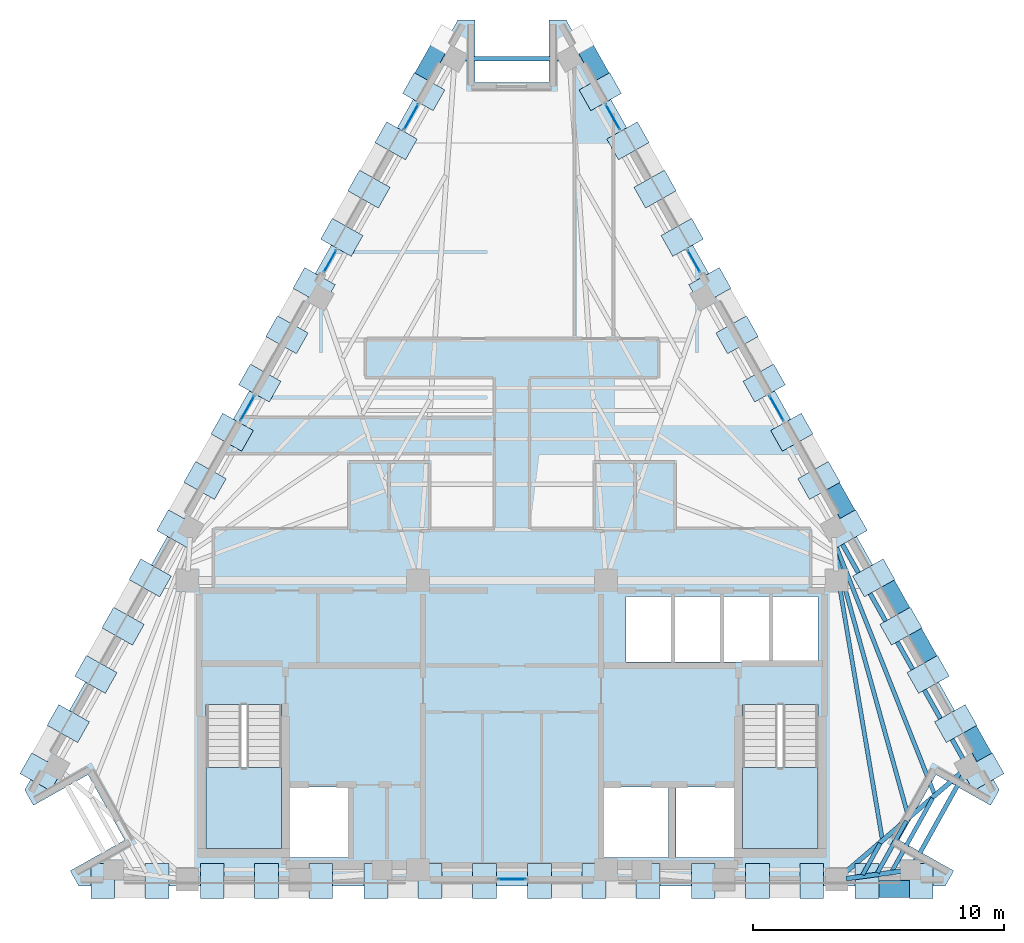
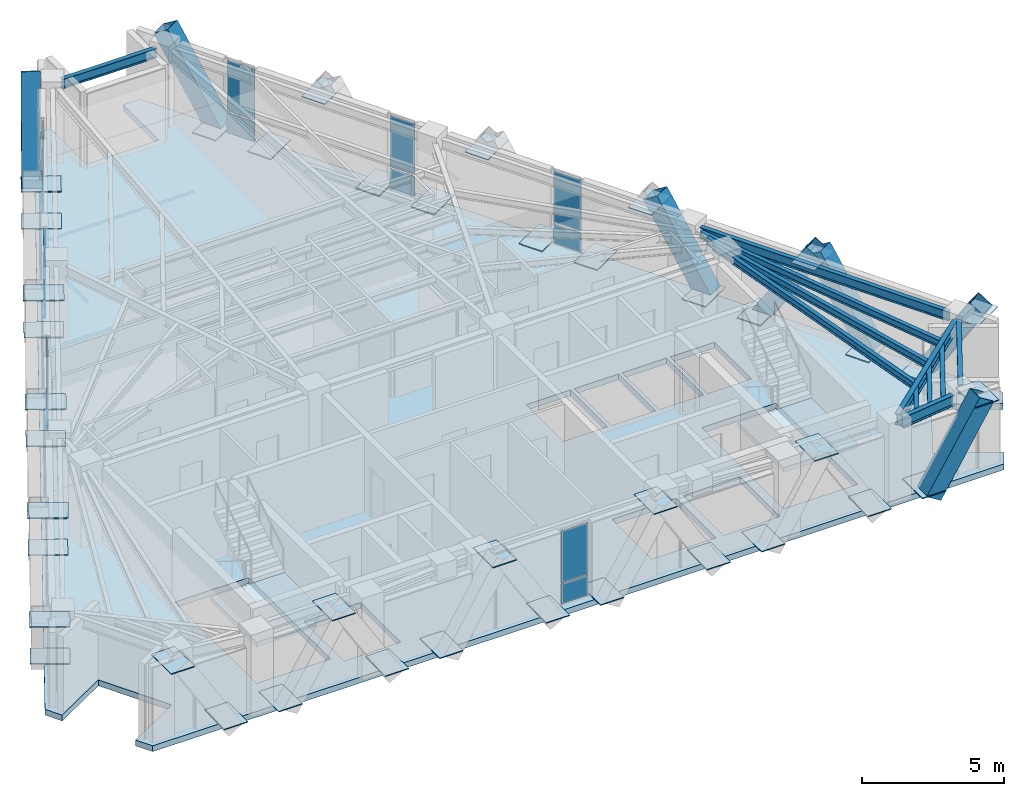
# One storey, part 4 of 9: 60 plates, 11 beams, 7 members, 3 slabs, 9 elements without a shape of their own.
"""IFC4 building model written with IfcOpenShell, lengths in metres."""

from ifc_helpers import new_model, si_unit, direction, frame, origin, origin_2d, place, context, subcontext, project, spatial, polyline, rectangle, hollow_rectangle, i_section, outline, extrude, material, layer, layer_set, material_profile, profile_set, type_object, element, aggregate, save


model = new_model("IFC4")

# Units and contexts
model_context = context("Model", 3, precision=1e-05, world=origin(), true_north=direction((0.0, 1.0)))
body_context = subcontext(model_context, "Body", "Model", "MODEL_VIEW")
ifc_project = project(units=[si_unit("LENGTHUNIT", "METRE"), si_unit("AREAUNIT", "SQUARE_METRE"), si_unit("VOLUMEUNIT", "CUBIC_METRE"), si_unit("PLANEANGLEUNIT", "RADIAN"), si_unit("MASSUNIT", "GRAM", prefix="KILO")], contexts=[model_context])

# Site, building, storey
site_placement = place(None, origin())
site = spatial("IfcSite", under=ifc_project, at=site_placement, CompositionType="ELEMENT")
building_placement = place(site_placement, origin())
building = spatial("IfcBuilding", under=site, at=building_placement, Name="Quenlor Broadcast Tower", CompositionType="ELEMENT")
storey_placement = place(building_placement, frame((0.0, 0.0, 256.89990234375)))
storey = spatial("IfcBuildingStorey", under=building, at=storey_placement, Name="L71", CompositionType="ELEMENT", Elevation=256.89990234375)

# Members
ifc_material_1 = material(Name="Steel S355", Category="steel")
ifc_material_profile_1 = material_profile(ifc_material_1, hollow_rectangle(XDim=0.679931640625, YDim=0.679931640625, WallThickness=0.02001953125, at=origin_2d()))
ifc_profile_set_1 = profile_set([ifc_material_profile_1], Name="Steel S355 RHS680x680x20")
member_type = type_object("IfcMemberType", Name="Perimeter Diagonal Lattice Brace Z5-Crown Steel S355 RHS680x20", PredefinedType="BRACE", material=ifc_profile_set_1)
member_placement = place(storey_placement, frame((14.165771484375, -17.1201171875, -0.119873046875), z_axis=(0.523616565236, 0.0, 0.85195404372), x_axis=(0.0, 1.0, 0.0)))
element("IfcMember", 1, at=member_placement, inside=storey, type_object=member_type, Name="L71 Perimeter Diamond Lattice S-C1B", PredefinedType="BRACE", context=body_context, shape_type="SweptSolid", body=[
    extrude(hollow_rectangle(XDim=0.679931640625, YDim=0.679931640625, WallThickness=0.02001953125, at=origin_2d()), origin(), (0.0, 0.0, 1.0), 4.108154296875),
])
for number, where, z_axis, x_axis, name in (
    (2, (3.813720703125, 14.864990234375, -0.119873046875), (-0.260618804175, 0.463276364439, 0.847025884529), (-0.8715547569, -0.490298180422, 0.0), "L71 Perimeter Diamond Lattice NE-C1B"),
    (3, (14.725830078125, -4.534423828125, -0.119873046875), (0.260563732169, -0.463283497491, 0.847038926161), (0.871602253711, 0.49021374045, 0.0), "L71 Perimeter Diamond Lattice NE-C4S"),
    (4, (13.622802734375, -2.573486328125, -0.119873046875), (-0.260618804175, 0.463276364439, 0.847025884529), (-0.8715547569, -0.490298180422, 0.0), "L71 Perimeter Diamond Lattice NE-C4B"),
    (5, (17.99560546875, -10.34716796875, -0.119873046875), (0.260563732169, -0.463283497491, 0.847038926161), (0.871602253711, 0.49021374045, 0.0), "L71 Perimeter Diamond Lattice NE-C5S"),
    (6, (16.892578125, -8.38623046875, -0.119873046875), (-0.260618804175, 0.463276364439, 0.847025884529), (-0.8715547569, -0.490298180422, 0.0), "L71 Perimeter Diamond Lattice NE-C5B"),
    (7, (-3.813720703125, 14.864990234375, -0.119873046875), (0.260618804175, 0.463276364439, 0.847025884529), (-0.8715547569, 0.490298180422, 0.0), "L71 Perimeter Diamond Lattice NW-C5S"),
):
    element("IfcMember", number, at=place(storey_placement, frame(where, z_axis=z_axis, x_axis=x_axis)), inside=storey, type_object=member_type, Name=name, PredefinedType="BRACE", context=body_context, shape_type="SweptSolid", body=[
        extrude(hollow_rectangle(XDim=0.679931640625, YDim=0.679931640625, WallThickness=0.02001953125, at=origin_2d()), origin(), (0.0, 0.0, 1.0), 4.132080078125),
    ])

# Beams
ifc_material_2 = material(Name="Steel S355", Category="steel")
ifc_material_profile_2 = material_profile(ifc_material_2, i_section(OverallWidth=0.177978515625, OverallDepth=0.406494140625, WebThickness=0.0078125, FlangeThickness=0.0126953125, FilletRadius=0.011474609375, at=origin_2d()))
ifc_profile_set_2 = profile_set([ifc_material_profile_2], Name="Steel S355 410UB59.7")
beam_type_1 = type_object("IfcBeamType", Name="Perimeter Spandrel Beam Z5 Steel S355 410UB59.7", PredefinedType="SPANDREL", material=ifc_profile_set_2)
beam_1_placement = place(storey_placement, frame((16.07275390625, -16.035400390625, 3.046875), z_axis=(0.486800618374, 0.873513112638, 0.0), x_axis=(-0.873513112638, 0.486800618374, 0.0)))
element("IfcBeam", 8, at=beam_1_placement, inside=storey, type_object=beam_type_1, Name="L71 Spandrel Beam S4-NE1", PredefinedType="SPANDREL", context=body_context, shape_type="SweptSolid", body=[
    extrude(i_section(OverallWidth=0.177978515625, OverallDepth=0.406494140625, WebThickness=0.0078125, FlangeThickness=0.0126953125, FilletRadius=0.011474609375, at=origin_2d()), origin(), (0.0, 0.0, 1.0), 3.9736328125),
])
beam_2_placement = place(storey_placement, frame((18.005859375, -11.93603515625, 3.046875), z_axis=(-0.490274867878, 0.871567871096, 0.0), x_axis=(-0.871567871096, -0.490274867878, 0.0)))
element("IfcBeam", 9, at=beam_2_placement, inside=storey, type_object=beam_type_1, Name="L71 Spandrel Beam NE1-NE2", PredefinedType="SPANDREL", context=body_context, shape_type="SweptSolid", body=[
    extrude(i_section(OverallWidth=0.177978515625, OverallDepth=0.406494140625, WebThickness=0.0078125, FlangeThickness=0.0126953125, FilletRadius=0.011474609375, at=origin_2d()), origin(), (0.0, 0.0, 1.0), 10.206298828125),
])
beam_3_placement = place(storey_placement, frame((1.9248046875, 16.012451171875, 3.046875), z_axis=(-1.0, 0.0, 0.0), x_axis=(0.0, -1.0, 0.0)))
element("IfcBeam", 10, at=beam_3_placement, inside=storey, type_object=beam_type_1, Name="L71 Spandrel Beam NE4-NW1", PredefinedType="SPANDREL", context=body_context, shape_type="SweptSolid", body=[
    extrude(i_section(OverallWidth=0.177978515625, OverallDepth=0.406494140625, WebThickness=0.0078125, FlangeThickness=0.0126953125, FilletRadius=0.011474609375, at=origin_2d()), origin(), (0.0, 0.0, 1.0), 3.849609375),
])
ifc_material_3 = material(Name="Steel S355", Category="steel")
ifc_material_profile_3 = material_profile(ifc_material_3, i_section(OverallWidth=0.166015625, OverallDepth=0.30712890625, WebThickness=0.006591796875, FlangeThickness=0.01171875, FilletRadius=0.011474609375, at=origin_2d()))
ifc_profile_set_3 = profile_set([ifc_material_profile_3], Name="Steel S355 310UB46.2")
beam_type_2 = type_object("IfcBeamType", Name="Tower Composite Joist Z4-Z5 Steel S355 310UB46.2", PredefinedType="JOIST", material=ifc_profile_set_3)
beam_4_placement = place(storey_placement, frame((14.76806640625, -15.09619140625, 3.096435546875), z_axis=(-0.166553293246, 0.986032454085, 0.0), x_axis=(-0.986032454085, -0.166553293246, 0.0)))
element("IfcBeam", 11, at=beam_4_placement, inside=storey, type_object=beam_type_2, Name="L71 Secondary Composite Joist 16", PredefinedType="JOIST", context=body_context, shape_type="SweptSolid", body=[
    extrude(i_section(OverallWidth=0.166015625, OverallDepth=0.30712890625, WebThickness=0.006591796875, FlangeThickness=0.01171875, FilletRadius=0.011474609375, at=origin_2d()), origin(), (0.0, 0.0, 1.0), 11.097900390625),
])
beam_5_placement = place(storey_placement, frame((15.806396484375, -14.197998046875, 3.096435546875), z_axis=(-0.26744552871, 0.96357298072, 0.0), x_axis=(-0.96357298072, -0.26744552871, 0.0)))
element("IfcBeam", 12, at=beam_5_placement, inside=storey, type_object=beam_type_2, Name="L71 Secondary Composite Joist 17", PredefinedType="JOIST", context=body_context, shape_type="SweptSolid", body=[
    extrude(i_section(OverallWidth=0.166015625, OverallDepth=0.30712890625, WebThickness=0.006591796875, FlangeThickness=0.01171875, FilletRadius=0.011474609375, at=origin_2d()), origin(), (0.0, 0.0, 1.0), 10.856689453125),
])
beam_6_placement = place(storey_placement, frame((16.8447265625, -13.300537109375, 3.096435546875), z_axis=(-0.368680258049, 0.929556274426, 0.0), x_axis=(-0.929556274426, -0.368680258049, 0.0)))
element("IfcBeam", 13, at=beam_6_placement, inside=storey, type_object=beam_type_2, Name="L71 Secondary Composite Joist 18", PredefinedType="JOIST", context=body_context, shape_type="SweptSolid", body=[
    extrude(i_section(OverallWidth=0.166015625, OverallDepth=0.30712890625, WebThickness=0.006591796875, FlangeThickness=0.01171875, FilletRadius=0.011474609375, at=origin_2d()), origin(), (0.0, 0.0, 1.0), 10.737548828125),
])
beam_7_placement = place(storey_placement, frame((13.9912109375, -16.544189453125, 3.096435546875), z_axis=(0.486624304452, 0.873611347406, 0.0), x_axis=(-0.873611347406, 0.486624304452, 0.0)))
element("IfcBeam", 14, at=beam_7_placement, inside=storey, type_object=beam_type_2, Name="L71 Secondary Composite Joist 22", PredefinedType="JOIST", context=body_context, shape_type="SweptSolid", body=[
    extrude(i_section(OverallWidth=0.166015625, OverallDepth=0.30712890625, WebThickness=0.006591796875, FlangeThickness=0.01171875, FilletRadius=0.011474609375, at=origin_2d()), origin(), (0.0, 0.0, 1.0), 1.435791015625),
])
beam_8_placement = place(storey_placement, frame((14.58056640625, -16.464111328125, 3.096435546875), z_axis=(0.486820963037, 0.873501774439, 0.0), x_axis=(-0.873501774439, 0.486820963037, 0.0)))
element("IfcBeam", 15, at=beam_8_placement, inside=storey, type_object=beam_type_2, Name="L71 Secondary Composite Joist 23", PredefinedType="JOIST", context=body_context, shape_type="SweptSolid", body=[
    extrude(i_section(OverallWidth=0.166015625, OverallDepth=0.30712890625, WebThickness=0.006591796875, FlangeThickness=0.01171875, FilletRadius=0.011474609375, at=origin_2d()), origin(), (0.0, 0.0, 1.0), 2.37451171875),
])
beam_9_placement = place(storey_placement, frame((15.170166015625, -16.384033203125, 3.096435546875), z_axis=(0.486762404011, 0.873534408046, 0.0), x_axis=(-0.873534408046, 0.486762404011, 0.0)))
element("IfcBeam", 16, at=beam_9_placement, inside=storey, type_object=beam_type_2, Name="L71 Secondary Composite Joist 24", PredefinedType="JOIST", context=body_context, shape_type="SweptSolid", body=[
    extrude(i_section(OverallWidth=0.166015625, OverallDepth=0.30712890625, WebThickness=0.006591796875, FlangeThickness=0.01171875, FilletRadius=0.011474609375, at=origin_2d()), origin(), (0.0, 0.0, 1.0), 3.313232421875),
])
ifc_material_4 = material(Name="Steel S355", Category="steel")
ifc_material_profile_4 = material_profile(ifc_material_4, i_section(OverallWidth=0.19091796875, OverallDepth=0.46044921875, WebThickness=0.010009765625, FlangeThickness=0.01611328125, FilletRadius=0.011474609375, at=origin_2d()))
ifc_profile_set_4 = profile_set([ifc_material_profile_4], Name="Steel S355 460UB82.1")
beam_type_3 = type_object("IfcBeamType", Name="Tower Primary Floor Beam Z5 Steel S355 460UB82.1", PredefinedType="BEAM", material=ifc_profile_set_4)
beam_10_placement = place(storey_placement, frame((15.541015625, -16.3984375, 3.02001953125), z_axis=(-0.990917044125, -0.134474576267, 0.0), x_axis=(0.134474576267, -0.990917044125, 0.0)))
element("IfcBeam", 17, at=beam_10_placement, inside=storey, type_object=beam_type_3, Name="L71 Primary Radial Beam S4", PredefinedType="BEAM", context=body_context, shape_type="SweptSolid", body=[
    extrude(i_section(OverallWidth=0.19091796875, OverallDepth=0.46044921875, WebThickness=0.010009765625, FlangeThickness=0.01611328125, FilletRadius=0.011474609375, at=origin_2d()), origin(), (0.0, 0.0, 1.0), 2.23486328125),
])
beam_11_placement = place(storey_placement, frame((17.909423828125, -12.484619140625, 3.02001953125), z_axis=(-0.75817030855, -0.652056579779, 0.0), x_axis=(0.652056579779, -0.75817030855, 0.0)))
element("IfcBeam", 18, at=beam_11_placement, inside=storey, type_object=beam_type_3, Name="L71 Primary Radial Beam NE1", PredefinedType="BEAM", context=body_context, shape_type="SweptSolid", body=[
    extrude(i_section(OverallWidth=0.19091796875, OverallDepth=0.46044921875, WebThickness=0.010009765625, FlangeThickness=0.01611328125, FilletRadius=0.011474609375, at=origin_2d()), origin(), (0.0, 0.0, 1.0), 6.161376953125),
])

# Curtain wall, plates
ifc_material_5 = material(Name="Architectural Terracotta and Low-E Glazing", Category="masonry")
curtain_wall_type = type_object("IfcCurtainWallType", Name="Unitised Terracotta Curtain Wall System Z5", PredefinedType="NOTDEFINED", material=ifc_material_5)
curtain_wall_1_placement = place(storey_placement, origin())
curtain_wall_1 = element("IfcCurtainWall", 19, at=curtain_wall_1_placement, inside=storey, type_object=curtain_wall_type, Name="L71 Curtain Wall CW5 (L71-S-G1)", PredefinedType="NOTDEFINED")
ifc_material_6 = material(Name="Double Glazed Low-E Solar Glass", Category="glass")
ifc_layer_1 = layer(ifc_material_6, 0.02587890625)
ifc_layer_set_1 = layer_set([ifc_layer_1], Name="CW5 Double Glazed Vision Panel 26")
plate_type_1 = type_object("IfcPlateType", Name="CW5 Double Glazed Vision Panel 26", PredefinedType="CURTAIN_PANEL", material=ifc_layer_set_1)
plate_1_placement = place(storey_placement, frame((0.0, -16.72509765625, 0.065185546875), z_axis=(0.0, 0.0, 1.0), x_axis=(-1.0, 0.0, 0.0)))
plate_1 = element("IfcPlate", 20, at=plate_1_placement, type_object=plate_type_1, Name="CW5 panel 1.1", PredefinedType="CURTAIN_PANEL", context=body_context, shape_type="SweptSolid", body=[
    extrude(rectangle(XDim=1.081298828125, YDim=0.02587890625, at=origin_2d()), origin(), (0.0, 0.0, 1.0), 0.8525390625),
])
plate_2_placement = place(storey_placement, frame((0.0, -16.72509765625, 0.982421875), z_axis=(0.0, 0.0, 1.0), x_axis=(-1.0, 0.0, 0.0)))
plate_2 = element("IfcPlate", 21, at=plate_2_placement, type_object=plate_type_1, Name="CW5 panel 1.2", PredefinedType="CURTAIN_PANEL", context=body_context, shape_type="SweptSolid", body=[
    extrude(rectangle(XDim=1.081298828125, YDim=0.02587890625, at=origin_2d()), origin(), (0.0, 0.0, 1.0), 2.202392578125),
])
aggregate(curtain_wall_1, [plate_1, plate_2])

curtain_wall_2_placement = place(storey_placement, origin())
curtain_wall_2 = element("IfcCurtainWall", 22, at=curtain_wall_2_placement, inside=storey, type_object=curtain_wall_type, Name="L71 Curtain Wall CW5 (L71-NEA-G1)", PredefinedType="NOTDEFINED")
plate_3_placement = place(storey_placement, frame((4.02099609375, 13.69091796875, 0.065185546875), z_axis=(0.0, 0.0, 1.0), x_axis=(0.49029137745, -0.871558583916, 0.0)))
plate_3 = element("IfcPlate", 23, at=plate_3_placement, type_object=plate_type_1, Name="CW5 panel 1.1", PredefinedType="CURTAIN_PANEL", context=body_context, shape_type="SweptSolid", body=[
    extrude(rectangle(XDim=1.13037109375, YDim=0.02587890625, at=origin_2d()), origin(), (0.0, 0.0, 1.0), 0.8525390625),
])
plate_4_placement = place(storey_placement, frame((4.02099609375, 13.69091796875, 0.982421875), z_axis=(0.0, 0.0, 1.0), x_axis=(0.49029137745, -0.871558583916, 0.0)))
plate_4 = element("IfcPlate", 24, at=plate_4_placement, type_object=plate_type_1, Name="CW5 panel 1.2", PredefinedType="CURTAIN_PANEL", context=body_context, shape_type="SweptSolid", body=[
    extrude(rectangle(XDim=1.13037109375, YDim=0.02587890625, at=origin_2d()), origin(), (0.0, 0.0, 1.0), 2.202392578125),
])
aggregate(curtain_wall_2, [plate_3, plate_4])

curtain_wall_3_placement = place(storey_placement, origin())
curtain_wall_3 = element("IfcCurtainWall", 25, at=curtain_wall_3_placement, inside=storey, type_object=curtain_wall_type, Name="L71 Curtain Wall CW5 (L71-NEA-G2)", PredefinedType="NOTDEFINED")
plate_5_placement = place(storey_placement, frame((7.258056640625, 7.935791015625, 0.065185546875), z_axis=(0.0, 0.0, 1.0), x_axis=(0.490282293669, -0.871563693894, 0.0)))
plate_5 = element("IfcPlate", 26, at=plate_5_placement, type_object=plate_type_1, Name="CW5 panel 1.1", PredefinedType="CURTAIN_PANEL", context=body_context, shape_type="SweptSolid", body=[
    extrude(rectangle(XDim=0.99755859375, YDim=0.02587890625, at=origin_2d()), origin(), (0.0, 0.0, 1.0), 0.8525390625),
])
plate_6_placement = place(storey_placement, frame((7.258056640625, 7.935791015625, 0.982421875), z_axis=(0.0, 0.0, 1.0), x_axis=(0.490282293669, -0.871563693894, 0.0)))
plate_6 = element("IfcPlate", 27, at=plate_6_placement, type_object=plate_type_1, Name="CW5 panel 1.2", PredefinedType="CURTAIN_PANEL", context=body_context, shape_type="SweptSolid", body=[
    extrude(rectangle(XDim=0.99755859375, YDim=0.02587890625, at=origin_2d()), origin(), (0.0, 0.0, 1.0), 2.202392578125),
])
aggregate(curtain_wall_3, [plate_5, plate_6])

curtain_wall_4_placement = place(storey_placement, origin())
curtain_wall_4 = element("IfcCurtainWall", 28, at=curtain_wall_4_placement, inside=storey, type_object=curtain_wall_type, Name="L71 Curtain Wall CW5 (L71-NE-G1)", PredefinedType="NOTDEFINED")
plate_7_placement = place(storey_placement, frame((10.560302734375, 2.065185546875, 0.065185546875), z_axis=(0.0, 0.0, 1.0), x_axis=(0.490231100048, -0.871592489955, 0.0)))
plate_7 = element("IfcPlate", 29, at=plate_7_placement, type_object=plate_type_1, Name="CW5 panel 1.1", PredefinedType="CURTAIN_PANEL", context=body_context, shape_type="SweptSolid", body=[
    extrude(rectangle(XDim=1.130126953125, YDim=0.02587890625, at=origin_2d()), origin(), (0.0, 0.0, 1.0), 0.8525390625),
])
plate_8_placement = place(storey_placement, frame((10.560302734375, 2.065185546875, 0.982421875), z_axis=(0.0, 0.0, 1.0), x_axis=(0.490231100048, -0.871592489955, 0.0)))
plate_8 = element("IfcPlate", 30, at=plate_8_placement, type_object=plate_type_1, Name="CW5 panel 1.2", PredefinedType="CURTAIN_PANEL", context=body_context, shape_type="SweptSolid", body=[
    extrude(rectangle(XDim=1.130126953125, YDim=0.02587890625, at=origin_2d()), origin(), (0.0, 0.0, 1.0), 2.202392578125),
])
aggregate(curtain_wall_4, [plate_7, plate_8])

curtain_wall_5_placement = place(storey_placement, origin())
curtain_wall_5 = element("IfcCurtainWall", 31, at=curtain_wall_5_placement, inside=storey, type_object=curtain_wall_type, Name="L71 Curtain Wall CW5 (L71-NWC-G1)", PredefinedType="NOTDEFINED")
plate_9_placement = place(storey_placement, frame((-7.258056640625, 7.935791015625, 0.065185546875), z_axis=(0.0, 0.0, 1.0), x_axis=(0.490282293669, 0.871563693894, 0.0)))
plate_9 = element("IfcPlate", 32, at=plate_9_placement, type_object=plate_type_1, Name="CW5 panel 1.1", PredefinedType="CURTAIN_PANEL", context=body_context, shape_type="SweptSolid", body=[
    extrude(rectangle(XDim=0.99755859375, YDim=0.02587890625, at=origin_2d()), origin(), (0.0, 0.0, 1.0), 0.8525390625),
])
plate_10_placement = place(storey_placement, frame((-7.258056640625, 7.935791015625, 0.982421875), z_axis=(0.0, 0.0, 1.0), x_axis=(0.490282293669, 0.871563693894, 0.0)))
plate_10 = element("IfcPlate", 33, at=plate_10_placement, type_object=plate_type_1, Name="CW5 panel 1.2", PredefinedType="CURTAIN_PANEL", context=body_context, shape_type="SweptSolid", body=[
    extrude(rectangle(XDim=0.99755859375, YDim=0.02587890625, at=origin_2d()), origin(), (0.0, 0.0, 1.0), 2.202392578125),
])
aggregate(curtain_wall_5, [plate_9, plate_10])

curtain_wall_6_placement = place(storey_placement, origin())
curtain_wall_6 = element("IfcCurtainWall", 34, at=curtain_wall_6_placement, inside=storey, type_object=curtain_wall_type, Name="L71 Curtain Wall CW5 (L71-NWC-G2)", PredefinedType="NOTDEFINED")
plate_11_placement = place(storey_placement, frame((-4.02099609375, 13.69091796875, 0.065185546875), z_axis=(0.0, 0.0, 1.0), x_axis=(0.49029137745, 0.871558583916, 0.0)))
plate_11 = element("IfcPlate", 35, at=plate_11_placement, type_object=plate_type_1, Name="CW5 panel 1.1", PredefinedType="CURTAIN_PANEL", context=body_context, shape_type="SweptSolid", body=[
    extrude(rectangle(XDim=1.13037109375, YDim=0.02587890625, at=origin_2d()), origin(), (0.0, 0.0, 1.0), 0.8525390625),
])
plate_12_placement = place(storey_placement, frame((-4.02099609375, 13.69091796875, 0.982421875), z_axis=(0.0, 0.0, 1.0), x_axis=(0.49029137745, 0.871558583916, 0.0)))
plate_12 = element("IfcPlate", 36, at=plate_12_placement, type_object=plate_type_1, Name="CW5 panel 1.2", PredefinedType="CURTAIN_PANEL", context=body_context, shape_type="SweptSolid", body=[
    extrude(rectangle(XDim=1.13037109375, YDim=0.02587890625, at=origin_2d()), origin(), (0.0, 0.0, 1.0), 2.202392578125),
])
aggregate(curtain_wall_6, [plate_11, plate_12])

curtain_wall_7_placement = place(storey_placement, origin())
curtain_wall_7 = element("IfcCurtainWall", 37, at=curtain_wall_7_placement, inside=storey, type_object=curtain_wall_type, Name="L71 Curtain Wall CW5 (L71-NW-G1)", PredefinedType="NOTDEFINED")
plate_13_placement = place(storey_placement, frame((-10.560302734375, 2.065185546875, 0.065185546875), z_axis=(0.0, 0.0, 1.0), x_axis=(0.490231100048, 0.871592489955, 0.0)))
plate_13 = element("IfcPlate", 38, at=plate_13_placement, type_object=plate_type_1, Name="CW5 panel 1.1", PredefinedType="CURTAIN_PANEL", context=body_context, shape_type="SweptSolid", body=[
    extrude(rectangle(XDim=1.130126953125, YDim=0.02587890625, at=origin_2d()), origin(), (0.0, 0.0, 1.0), 0.8525390625),
])
plate_14_placement = place(storey_placement, frame((-10.560302734375, 2.065185546875, 0.982421875), z_axis=(0.0, 0.0, 1.0), x_axis=(0.490231100048, 0.871592489955, 0.0)))
plate_14 = element("IfcPlate", 39, at=plate_14_placement, type_object=plate_type_1, Name="CW5 panel 1.2", PredefinedType="CURTAIN_PANEL", context=body_context, shape_type="SweptSolid", body=[
    extrude(rectangle(XDim=1.130126953125, YDim=0.02587890625, at=origin_2d()), origin(), (0.0, 0.0, 1.0), 2.202392578125),
])
aggregate(curtain_wall_7, [plate_13, plate_14])

# Stair, slab
ifc_material_7 = material(Name="Precast concrete C40/50", Category="concrete")
stair_type = type_object("IfcStairType", Name="Precast Concrete C40/50 Dogleg Stair H350", PredefinedType="HALF_TURN_STAIR", material=ifc_material_7)
stair_1_placement = place(storey_placement, origin())
stair_1 = element("IfcStair", 40, at=stair_1_placement, inside=storey, type_object=stair_type, Name="L71 West Core Fire-Isolated Exit Stair ST-1", PredefinedType="HALF_TURN_STAIR")
ifc_material_8 = material(Name="Precast concrete C40/50", Category="concrete")
ifc_layer_2 = layer(ifc_material_8, 0.199951171875)
ifc_layer_set_2 = layer_set([ifc_layer_2], Name="Precast Concrete C40/50 Stair Landing Slab 200")
slab_type_1 = type_object("IfcSlabType", Name="Precast Concrete C40/50 Stair Landing Slab 200", PredefinedType="LANDING", material=ifc_layer_set_2)
slab_1_placement = place(storey_placement, frame((0.0, 0.0, 1.550048828125)))
slab_1 = element("IfcSlab", 41, at=slab_1_placement, type_object=slab_type_1, Name="ST-1 landing 1", PredefinedType="LANDING", context=body_context, shape_type="SweptSolid", body=[
    extrude(outline(polyline([(-12.199951171875, -12.27001953125), (-12.199951171875, -15.5), (-9.199951171875, -15.5), (-9.199951171875, -12.27001953125), (-12.199951171875, -12.27001953125)])), origin(), (0.0, 0.0, 1.0), 0.199951171875),
])
aggregate(stair_1, [slab_1])

stair_2_placement = place(storey_placement, origin())
stair_2 = element("IfcStair", 42, at=stair_2_placement, inside=storey, type_object=stair_type, Name="L71 East Core Fire-Isolated Exit Stair ST-2", PredefinedType="HALF_TURN_STAIR")
slab_2_placement = place(storey_placement, frame((0.0, 0.0, 1.550048828125)))
slab_2 = element("IfcSlab", 43, at=slab_2_placement, type_object=slab_type_1, Name="ST-2 landing 1", PredefinedType="LANDING", context=body_context, shape_type="SweptSolid", body=[
    extrude(outline(polyline([(9.199951171875, -12.27001953125), (9.199951171875, -15.5), (12.199951171875, -15.5), (12.199951171875, -12.27001953125), (9.199951171875, -12.27001953125)])), origin(), (0.0, 0.0, 1.0), 0.199951171875),
])
aggregate(stair_2, [slab_2])

# Slab
ifc_material_9 = material(Name="Concrete C40/50", Category="concrete")
ifc_layer_3 = layer(ifc_material_9, 0.25)
ifc_layer_set_3 = layer_set([ifc_layer_3], Name="Tower Composite Concrete C40/50 Slab 250")
slab_type_2 = type_object("IfcSlabType", Name="Tower Composite Concrete C40/50 Slab 250", PredefinedType="FLOOR", material=ifc_layer_set_3)
slab_3_placement = place(storey_placement, frame((0.0, 0.0, -0.25)))
element("IfcSlab", 44, at=slab_3_placement, inside=storey, type_object=slab_type_2, Name="L71 Structural Floor Slab", PredefinedType="FLOOR", context=body_context, shape_type="SweptSolid", body=[
    extrude(outline(polyline([(17.280029296875, -17.0), (17.62548828125, -16.385498046875), (15.44677734375, -15.159912109375), (16.91552734375, -12.548583984375), (19.094482421875, -13.7744140625), (19.43994140625, -13.159912109375), (2.159912109375, 17.56005859375), (1.46875, 17.56005859375), (1.46875, 15.06005859375), (-1.46875, 15.06005859375), (-1.46875, 17.56005859375), (-2.159912109375, 17.56005859375), (-19.43994140625, -13.159912109375), (-19.094482421875, -13.7744140625), (-16.91552734375, -12.548583984375), (-15.44677734375, -15.159912109375), (-17.62548828125, -16.385498046875), (-17.280029296875, -17.0), (17.280029296875, -17.0)]), holes=[polyline([(-12.199951171875, -9.758056640625), (-12.199951171875, -15.5), (-9.199951171875, -15.5), (-9.199951171875, -9.758056640625), (-12.199951171875, -9.758056640625)]), polyline([(9.199951171875, -9.758056640625), (9.199951171875, -15.5), (12.199951171875, -15.5), (12.199951171875, -9.758056640625), (9.199951171875, -9.758056640625)]), polyline([(4.550048828125, -8.050048828125), (6.35009765625, -8.050048828125), (6.35009765625, -5.449951171875), (4.550048828125, -5.449951171875), (4.550048828125, -8.050048828125)]), polyline([(6.5, -8.050048828125), (8.300048828125, -8.050048828125), (8.300048828125, -5.449951171875), (6.5, -5.449951171875), (6.5, -8.050048828125)]), polyline([(8.449951171875, -8.050048828125), (10.25, -8.050048828125), (10.25, -5.449951171875), (8.449951171875, -5.449951171875), (8.449951171875, -8.050048828125)]), polyline([(10.39990234375, -8.050048828125), (12.199951171875, -8.050048828125), (12.199951171875, -5.449951171875), (10.39990234375, -5.449951171875), (10.39990234375, -8.050048828125)]), polyline([(-8.85009765625, -15.85009765625), (-6.550048828125, -15.85009765625), (-6.550048828125, -13.050048828125), (-8.85009765625, -13.050048828125), (-8.85009765625, -15.85009765625)]), polyline([(6.550048828125, -15.85009765625), (8.85009765625, -15.85009765625), (8.85009765625, -13.050048828125), (6.550048828125, -13.050048828125), (6.550048828125, -15.85009765625)]), polyline([(3.64990234375, -15.85009765625), (6.25, -15.85009765625), (6.25, -13.050048828125), (3.64990234375, -13.050048828125), (3.64990234375, -15.85009765625)])]), origin(), (0.0, 0.0, 1.0), 0.25),
])

# Plates
ifc_material_10 = material(Name="Steel S355", Category="steel")
ifc_layer_4 = layer(ifc_material_10, 0.035888671875)
ifc_layer_set_4 = layer_set([ifc_layer_4], Name="Transfer Truss Steel S355 Gusset Node Plate 1400x950x36")
plate_type_2 = type_object("IfcPlateType", Name="Transfer Truss Steel S355 Gusset Node Plate 1400x950x36", PredefinedType="SHEET", material=ifc_layer_set_4)
for number, where, z_axis, x_axis, name in (
    (45, (11.96240234375, -16.784912109375, 0.0419921875), (0.0, 0.0, 1.0), (0.0, -1.0, 0.0), "L71 Lattice Tie Gusset Node S-B2"),
    (46, (9.798095703125, -16.784912109375, 3.18212890625), (0.0, 0.0, 1.0), (0.0, -1.0, 0.0), "L71 Lattice Tie Gusset Node S-T3"),
    (47, (14.165771484375, -16.784912109375, 0.0419921875), (0.0, 0.0, 1.0), (0.0, -1.0, 0.0), "L71 Lattice Tie Gusset Node S-B1"),
    (48, (16.330078125, -16.784912109375, 3.18212890625), (0.0, 0.0, 1.0), (0.0, -1.0, 0.0), "L71 Lattice Tie Gusset Node S-T0"),
    (49, (5.430419921875, -16.784912109375, 0.0419921875), (0.0, 0.0, 1.0), (0.0, -1.0, 0.0), "L71 Lattice Tie Gusset Node S-B5"),
    (50, (3.26611328125, -16.784912109375, 3.18212890625), (0.0, 0.0, 1.0), (0.0, -1.0, 0.0), "L71 Lattice Tie Gusset Node S-T6"),
    (51, (7.6337890625, -16.784912109375, 0.0419921875), (0.0, 0.0, 1.0), (0.0, -1.0, 0.0), "L71 Lattice Tie Gusset Node S-B4"),
    (52, (-1.101806640625, -16.784912109375, 0.0419921875), (0.0, 0.0, 1.0), (0.0, -1.0, 0.0), "L71 Lattice Tie Gusset Node S-B8"),
    (53, (-3.26611328125, -16.784912109375, 3.18212890625), (0.0, 0.0, 1.0), (0.0, -1.0, 0.0), "L71 Lattice Tie Gusset Node S-T9"),
    (54, (1.101806640625, -16.784912109375, 0.0419921875), (0.0, 0.0, 1.0), (0.0, -1.0, 0.0), "L71 Lattice Tie Gusset Node S-B7"),
    (55, (-7.6337890625, -16.784912109375, 0.0419921875), (0.0, 0.0, 1.0), (0.0, -1.0, 0.0), "L71 Lattice Tie Gusset Node S-B11"),
    (56, (-9.798095703125, -16.784912109375, 3.18212890625), (0.0, 0.0, 1.0), (0.0, -1.0, 0.0), "L71 Lattice Tie Gusset Node S-T12"),
    (57, (-5.430419921875, -16.784912109375, 0.0419921875), (0.0, 0.0, 1.0), (0.0, -1.0, 0.0), "L71 Lattice Tie Gusset Node S-B10"),
    (58, (-14.165771484375, -16.784912109375, 0.0419921875), (0.0, 0.0, 1.0), (0.0, -1.0, 0.0), "L71 Lattice Tie Gusset Node S-B14"),
    (59, (-16.330078125, -16.784912109375, 3.18212890625), (0.0, 0.0, 1.0), (0.0, -1.0, 0.0), "L71 Lattice Tie Gusset Node S-T15"),
    (60, (-11.96240234375, -16.784912109375, 0.0419921875), (0.0, 0.0, 1.0), (0.0, -1.0, 0.0), "L71 Lattice Tie Gusset Node S-B13"),
    (61, (4.624755859375, 12.73974609375, 0.0419921875), (0.0, 0.0, 1.0), (0.871556314255, 0.490295412055, 0.0), "L71 Lattice Tie Gusset Node NE-B2"),
    (62, (5.7080078125, 10.813720703125, 3.18212890625), (0.0, 0.0, 1.0), (0.871556314255, 0.490295412055, 0.0), "L71 Lattice Tie Gusset Node NE-T3"),
    (63, (3.521728515625, 14.70068359375, 0.0419921875), (0.0, 0.0, 1.0), (0.871556314255, 0.490295412055, 0.0), "L71 Lattice Tie Gusset Node NE-B1"),
    (64, (7.894287109375, 6.927001953125, 0.0419921875), (0.0, 0.0, 1.0), (0.871556314255, 0.490295412055, 0.0), "L71 Lattice Tie Gusset Node NE-B5"),
    (65, (8.977783203125, 5.0009765625, 3.18212890625), (0.0, 0.0, 1.0), (0.871556314255, 0.490295412055, 0.0), "L71 Lattice Tie Gusset Node NE-T6"),
    (66, (6.79150390625, 8.8876953125, 0.0419921875), (0.0, 0.0, 1.0), (0.871556314255, 0.490295412055, 0.0), "L71 Lattice Tie Gusset Node NE-B4"),
    (67, (11.1640625, 1.1142578125, 0.0419921875), (0.0, 0.0, 1.0), (0.871556314255, 0.490295412055, 0.0), "L71 Lattice Tie Gusset Node NE-B8"),
    (68, (12.247314453125, -0.811767578125, 3.18212890625), (0.0, 0.0, 1.0), (0.871556314255, 0.490295412055, 0.0), "L71 Lattice Tie Gusset Node NE-T9"),
    (69, (10.06103515625, 3.074951171875, 0.0419921875), (0.0, 0.0, 1.0), (0.871556314255, 0.490295412055, 0.0), "L71 Lattice Tie Gusset Node NE-B7"),
    (70, (14.433837890625, -4.698486328125, 0.0419921875), (0.0, 0.0, 1.0), (0.871556314255, 0.490295412055, 0.0), "L71 Lattice Tie Gusset Node NE-B11"),
    (71, (15.51708984375, -6.62451171875, 3.18212890625), (0.0, 0.0, 1.0), (0.871556314255, 0.490295412055, 0.0), "L71 Lattice Tie Gusset Node NE-T12"),
    (72, (13.330810546875, -2.73779296875, 0.0419921875), (0.0, 0.0, 1.0), (0.871556314255, 0.490295412055, 0.0), "L71 Lattice Tie Gusset Node NE-B10"),
    (73, (17.70361328125, -10.511474609375, 0.0419921875), (0.0, 0.0, 1.0), (0.871556314255, 0.490295412055, 0.0), "L71 Lattice Tie Gusset Node NE-B14"),
    (74, (18.786865234375, -12.4375, 3.18212890625), (0.0, 0.0, 1.0), (0.871556314255, 0.490295412055, 0.0), "L71 Lattice Tie Gusset Node NE-T15"),
    (75, (16.6005859375, -8.550537109375, 0.0419921875), (0.0, 0.0, 1.0), (0.871556314255, 0.490295412055, 0.0), "L71 Lattice Tie Gusset Node NE-B13"),
    (76, (-16.6005859375, -8.550537109375, 0.0419921875), (0.0, 0.0, 1.0), (-0.871556314255, 0.490295412055, 0.0), "L71 Lattice Tie Gusset Node NW-B2"),
    (77, (-15.51708984375, -6.62451171875, 3.18212890625), (0.0, 0.0, 1.0), (-0.871556314255, 0.490295412055, 0.0), "L71 Lattice Tie Gusset Node NW-T3"),
    (78, (-17.70361328125, -10.511474609375, 0.0419921875), (0.0, 0.0, 1.0), (-0.871556314255, 0.490295412055, 0.0), "L71 Lattice Tie Gusset Node NW-B1"),
    (79, (-18.786865234375, -12.4375, 3.18212890625), (0.0, 0.0, 1.0), (-0.871556314255, 0.490295412055, 0.0), "L71 Lattice Tie Gusset Node NW-T0"),
    (80, (-13.330810546875, -2.73779296875, 0.0419921875), (0.0, 0.0, 1.0), (-0.871556314255, 0.490295412055, 0.0), "L71 Lattice Tie Gusset Node NW-B5"),
    (81, (-12.247314453125, -0.811767578125, 3.18212890625), (0.0, 0.0, 1.0), (-0.871556314255, 0.490295412055, 0.0), "L71 Lattice Tie Gusset Node NW-T6"),
    (82, (-14.433837890625, -4.698486328125, 0.0419921875), (0.0, 0.0, 1.0), (-0.871556314255, 0.490295412055, 0.0), "L71 Lattice Tie Gusset Node NW-B4"),
    (83, (-10.06103515625, 3.074951171875, 0.0419921875), (0.0, 0.0, 1.0), (-0.871556314255, 0.490295412055, 0.0), "L71 Lattice Tie Gusset Node NW-B8"),
    (84, (-8.977783203125, 5.0009765625, 3.18212890625), (0.0, 0.0, 1.0), (-0.871556314255, 0.490295412055, 0.0), "L71 Lattice Tie Gusset Node NW-T9"),
    (85, (-11.1640625, 1.1142578125, 0.0419921875), (0.0, 0.0, 1.0), (-0.871556314255, 0.490295412055, 0.0), "L71 Lattice Tie Gusset Node NW-B7"),
    (86, (-6.79150390625, 8.8876953125, 0.0419921875), (0.0, 0.0, 1.0), (-0.871556314255, 0.490295412055, 0.0), "L71 Lattice Tie Gusset Node NW-B11"),
    (87, (-5.7080078125, 10.813720703125, 3.18212890625), (0.0, 0.0, 1.0), (-0.871556314255, 0.490295412055, 0.0), "L71 Lattice Tie Gusset Node NW-T12"),
    (88, (-7.894287109375, 6.927001953125, 0.0419921875), (0.0, 0.0, 1.0), (-0.871556314255, 0.490295412055, 0.0), "L71 Lattice Tie Gusset Node NW-B10"),
    (89, (-3.521728515625, 14.70068359375, 0.0419921875), (0.0, 0.0, 1.0), (-0.871556314255, 0.490295412055, 0.0), "L71 Lattice Tie Gusset Node NW-B14"),
    (90, (-4.624755859375, 12.73974609375, 0.0419921875), (0.0, 0.0, 1.0), (-0.871556314255, 0.490295412055, 0.0), "L71 Lattice Tie Gusset Node NW-B13"),
):
    element("IfcPlate", number, at=place(storey_placement, frame(where, z_axis=z_axis, x_axis=x_axis)), inside=storey, type_object=plate_type_2, Name=name, PredefinedType="SHEET", context=body_context, shape_type="SweptSolid", body=[
        extrude(rectangle(XDim=1.39990234375, YDim=0.949951171875, at=origin_2d()), origin(), (0.0, 0.0, 1.0), 0.035888671875),
    ])

save(model, "model.ifc")
